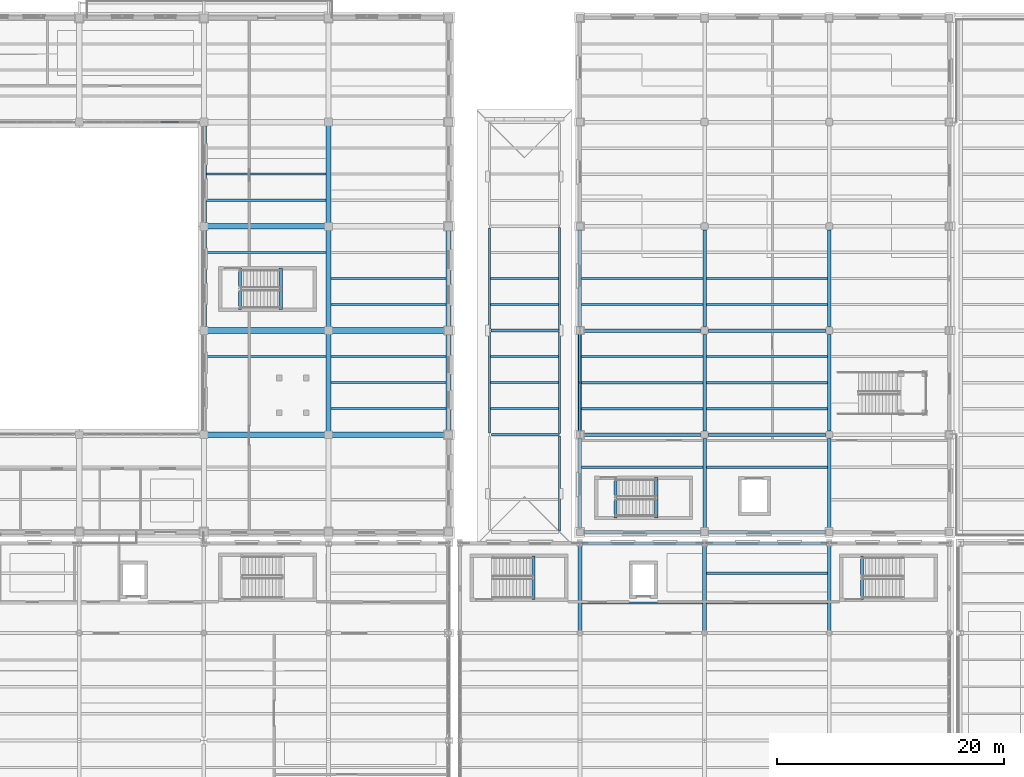
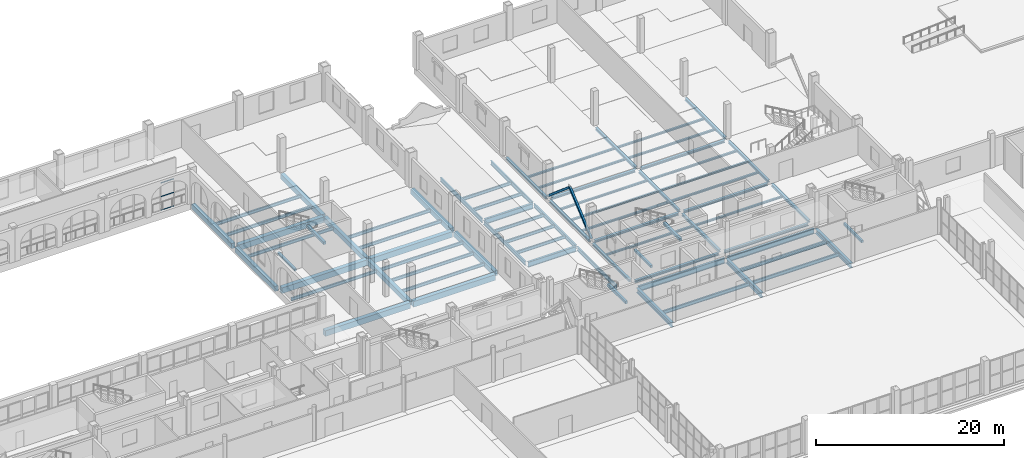
# One storey, part 57 of 156: 74 beams, 5 members, 1 element without a shape of its own.
"""IFC4 building model written with IfcOpenShell, lengths in metres."""

from ifc_helpers import new_model, si_unit, direction, frame, origin, origin_2d, place, context, subcontext, project, spatial, rectangle, hollow_rectangle, i_section, extrude, material, material_profile, profile_set, type_object, element, aggregate, save


model = new_model("IFC4")

# Units and contexts
model_context = context("Model", 3, precision=1e-05, world=origin(), true_north=direction((0.0, 1.0)))
body_context = subcontext(model_context, "Body", "Model", "MODEL_VIEW")
ifc_project = project(units=[si_unit("LENGTHUNIT", "METRE"), si_unit("AREAUNIT", "SQUARE_METRE"), si_unit("VOLUMEUNIT", "CUBIC_METRE"), si_unit("PLANEANGLEUNIT", "RADIAN"), si_unit("MASSUNIT", "GRAM", prefix="KILO")], contexts=[model_context])

# Site, building, storey
site_placement = place(None, origin())
site = spatial("IfcSite", under=ifc_project, at=site_placement, CompositionType="ELEMENT")
building_placement = place(site_placement, origin())
building = spatial("IfcBuilding", under=site, at=building_placement, Name="Caurita Quay Ferry Terminal", CompositionType="ELEMENT")
storey_placement = place(building_placement, frame((0.0, 0.0, 5.39990234375)))
storey = spatial("IfcBuildingStorey", under=building, at=storey_placement, Name="L01", CompositionType="ELEMENT", Elevation=5.39990234375)

# Beams
ifc_material_1 = material(Name="Structural steel ASTM A992 Gr. 50", Category="steel")
ifc_material_profile_1 = material_profile(ifc_material_1, i_section(OverallWidth=0.3251953125, OverallDepth=0.612060546875, WebThickness=0.0126953125, FlangeThickness=0.01904296875, FilletRadius=0.01513671875, at=origin_2d()), Name="W24X104")
ifc_profile_set_1 = profile_set([ifc_material_profile_1], Name="Structural steel ASTM A992 Gr. 50")
beam_type_1 = type_object("IfcBeamType", Name="BM-GR-W24A", PredefinedType="BEAM", material=ifc_profile_set_1)
for number, where, z_axis, x_axis, name in (
    (1, (99.199951171875, 62.916015625, -0.60595703125), (0.0, 1.0, 0.0), (-1.0, 0.0, 0.0), "L01 Beam BM-V2-L01-Y-992-629"),
    (2, (110.199951171875, 62.916015625, -0.60595703125), (0.0, 1.0, 0.0), (-1.0, 0.0, 0.0), "L01 Beam BM-V2-L01-Y-1102-629"),
    (3, (121.199951171875, 62.916015625, -0.60595703125), (0.0, 1.0, 0.0), (-1.0, 0.0, 0.0), "L01 Beam BM-V2-L01-Y-1212-629"),
):
    element("IfcBeam", number, at=place(storey_placement, frame(where, z_axis=z_axis, x_axis=x_axis)), inside=storey, type_object=beam_type_1, Name=name, PredefinedType="BEAM", context=body_context, shape_type="SweptSolid", body=[
        extrude(i_section(OverallWidth=0.3251953125, OverallDepth=0.612060546875, WebThickness=0.0126953125, FlangeThickness=0.01904296875, FilletRadius=0.01513671875, at=origin_2d()), origin(), (0.0, 0.0, 1.0), 7.5166015625),
    ])
ifc_material_profile_2 = material_profile(ifc_material_1, i_section(OverallWidth=0.256591796875, OverallDepth=0.693359375, WebThickness=0.014404296875, FlangeThickness=0.023681640625, FilletRadius=0.017822265625, at=origin_2d()), Name="W27X114")
ifc_profile_set_2 = profile_set([ifc_material_profile_2], Name="Structural steel ASTM A992 Gr. 50")
beam_type_2 = type_object("IfcBeamType", Name="BM-GR-W27A", PredefinedType="BEAM", material=ifc_profile_set_2)
for number, where, z_axis, x_axis, name in (
    (4, (99.369384765625, 70.60009765625, -0.646484375), (1.0, 0.0, 0.0), (0.0, 1.0, 0.0), "L01 Beam BM-V2-L01-X-994-706"),
    (5, (110.369384765625, 70.60009765625, -0.646484375), (1.0, 0.0, 0.0), (0.0, 1.0, 0.0), "L01 Beam BM-V2-L01-X-1104-706"),
):
    element("IfcBeam", number, at=place(storey_placement, frame(where, z_axis=z_axis, x_axis=x_axis)), inside=storey, type_object=beam_type_2, Name=name, PredefinedType="BEAM", context=body_context, shape_type="SweptSolid", body=[
        extrude(i_section(OverallWidth=0.256591796875, OverallDepth=0.693359375, WebThickness=0.014404296875, FlangeThickness=0.023681640625, FilletRadius=0.017822265625, at=origin_2d()), origin(), (0.0, 0.0, 1.0), 10.6611328125),
    ])
ifc_material_profile_3 = material_profile(ifc_material_1, i_section(OverallWidth=0.25390625, OverallDepth=0.68310546875, WebThickness=0.012451171875, FlangeThickness=0.018798828125, at=origin_2d()), Name="W27X94")
ifc_profile_set_3 = profile_set([ifc_material_profile_3], Name="Structural steel ASTM A992 Gr. 50")
beam_type_3 = type_object("IfcBeamType", Name="BM-GR-W27B", PredefinedType="BEAM", material=ifc_profile_set_3)
beam_1_placement = place(storey_placement, frame((91.372802734375, 80.199951171875, -0.491455078125), z_axis=(1.0, 0.0, 0.0), x_axis=(0.0, 1.0, 0.0)))
element("IfcBeam", 6, at=beam_1_placement, inside=storey, type_object=beam_type_3, Name="L01 Beam BM-V6-L01-X-914-802", PredefinedType="BEAM", context=body_context, shape_type="SweptSolid", body=[
    extrude(i_section(OverallWidth=0.25390625, OverallDepth=0.68310546875, WebThickness=0.012451171875, FlangeThickness=0.018798828125, at=origin_2d()), origin(), (0.0, 0.0, 1.0), 5.919189453125),
])
beam_2_placement = place(storey_placement, frame((91.337646484375, 89.39990234375, -0.491455078125), z_axis=(1.0, 0.0, 0.0), x_axis=(0.0, 1.0, 0.0)))
element("IfcBeam", 7, at=beam_2_placement, inside=storey, type_object=beam_type_3, Name="L01 Beam BM-V6-L01-X-913-894", PredefinedType="BEAM", context=body_context, shape_type="SweptSolid", body=[
    extrude(i_section(OverallWidth=0.25390625, OverallDepth=0.68310546875, WebThickness=0.012451171875, FlangeThickness=0.018798828125, at=origin_2d()), origin(), (0.0, 0.0, 1.0), 5.954345703125),
])
ifc_material_profile_4 = material_profile(ifc_material_1, i_section(OverallWidth=0.2021484375, OverallDepth=0.246337890625, WebThickness=0.00732421875, FlangeThickness=0.010986328125, FilletRadius=0.01025390625, at=origin_2d()), Name="W10X33")
ifc_profile_set_4 = profile_set([ifc_material_profile_4], Name="Structural steel ASTM A992 Gr. 50")
beam_type_4 = type_object("IfcBeamType", Name="BM-JS-W10", PredefinedType="JOIST", material=ifc_profile_set_4)
for number, where, z_axis, x_axis, name in (
    (8, (99.352294921875, 77.333251953125, -0.30322265625), (1.0, 0.0, 0.0), (0.0, 1.0, 0.0), "L01 Beam JS-V4W-L01-001"),
    (9, (99.352294921875, 82.5, -0.30322265625), (1.0, 0.0, 0.0), (0.0, 1.0, 0.0), "L01 Beam JS-V4W-L01-002"),
    (10, (99.352294921875, 84.800048828125, -0.30322265625), (1.0, 0.0, 0.0), (0.0, 1.0, 0.0), "L01 Beam JS-V4W-L01-003"),
    (11, (99.352294921875, 87.10009765625, -0.30322265625), (1.0, 0.0, 0.0), (0.0, 1.0, 0.0), "L01 Beam JS-V4W-L01-004"),
    (12, (99.352294921875, 91.699951171875, -0.30322265625), (1.0, 0.0, 0.0), (0.0, 1.0, 0.0), "L01 Beam JS-V4W-L01-005"),
    (13, (99.352294921875, 94.0, -0.30322265625), (1.0, 0.0, 0.0), (0.0, 1.0, 0.0), "L01 Beam JS-V4W-L01-006"),
    (14, (110.352294921875, 77.333251953125, -0.30322265625), (1.0, 0.0, 0.0), (0.0, 1.0, 0.0), "L01 Beam JS-V4W-L01-014"),
    (15, (110.352294921875, 82.5, -0.30322265625), (1.0, 0.0, 0.0), (0.0, 1.0, 0.0), "L01 Beam JS-V4W-L01-015"),
    (16, (110.352294921875, 84.800048828125, -0.30322265625), (1.0, 0.0, 0.0), (0.0, 1.0, 0.0), "L01 Beam JS-V4W-L01-016"),
    (17, (110.352294921875, 87.10009765625, -0.30322265625), (1.0, 0.0, 0.0), (0.0, 1.0, 0.0), "L01 Beam JS-V4W-L01-017"),
    (18, (110.352294921875, 91.699951171875, -0.30322265625), (1.0, 0.0, 0.0), (0.0, 1.0, 0.0), "L01 Beam JS-V4W-L01-018"),
    (19, (110.352294921875, 94.0, -0.30322265625), (1.0, 0.0, 0.0), (0.0, 1.0, 0.0), "L01 Beam JS-V4W-L01-019"),
):
    element("IfcBeam", number, at=place(storey_placement, frame(where, z_axis=z_axis, x_axis=x_axis)), inside=storey, type_object=beam_type_4, Name=name, PredefinedType="JOIST", context=body_context, shape_type="SweptSolid", body=[
        extrude(i_section(OverallWidth=0.2021484375, OverallDepth=0.246337890625, WebThickness=0.00732421875, FlangeThickness=0.010986328125, FilletRadius=0.01025390625, at=origin_2d()), origin(), (0.0, 0.0, 1.0), 10.6953125),
    ])
ifc_material_profile_5 = material_profile(ifc_material_1, i_section(OverallWidth=0.1787109375, OverallDepth=0.408935546875, WebThickness=0.0087890625, FlangeThickness=0.014404296875, FilletRadius=0.011474609375, at=origin_2d()), Name="W16X45")
ifc_profile_set_5 = profile_set([ifc_material_profile_5], Name="Structural steel ASTM A992 Gr. 50")
beam_type_5 = type_object("IfcBeamType", Name="BM-JS-W16A", PredefinedType="JOIST", material=ifc_profile_set_5)
for number, where, z_axis, x_axis, name in (
    (20, (66.22509765625, 87.10009765625, -0.42431640625), (1.0, 0.0, 0.0), (0.0, 1.0, 0.0), "L01 Beam JS-V5-L01-044"),
    (21, (66.22509765625, 96.300048828125, -0.42431640625), (1.0, 0.0, 0.0), (0.0, 1.0, 0.0), "L01 Beam JS-V5-L01-045"),
    (22, (66.22509765625, 100.89990234375, -0.42431640625), (1.0, 0.0, 0.0), (0.0, 1.0, 0.0), "L01 Beam JS-V5-L01-046"),
    (23, (66.22509765625, 103.199951171875, -0.42431640625), (1.0, 0.0, 0.0), (0.0, 1.0, 0.0), "L01 Beam JS-V5-L01-047"),
):
    element("IfcBeam", number, at=place(storey_placement, frame(where, z_axis=z_axis, x_axis=x_axis)), inside=storey, type_object=beam_type_5, Name=name, PredefinedType="JOIST", context=body_context, shape_type="SweptSolid", body=[
        extrude(i_section(OverallWidth=0.1787109375, OverallDepth=0.408935546875, WebThickness=0.0087890625, FlangeThickness=0.014404296875, FilletRadius=0.011474609375, at=origin_2d()), origin(), (0.0, 0.0, 1.0), 10.5498046875),
    ])
for number, where, z_axis, x_axis, name in (
    (24, (77.22509765625, 82.5, -0.42431640625), (1.0, 0.0, 0.0), (0.0, 1.0, 0.0), "L01 Beam JS-V5-L01-054"),
    (25, (77.22509765625, 84.800048828125, -0.42431640625), (1.0, 0.0, 0.0), (0.0, 1.0, 0.0), "L01 Beam JS-V5-L01-055"),
    (26, (77.22509765625, 87.10009765625, -0.42431640625), (1.0, 0.0, 0.0), (0.0, 1.0, 0.0), "L01 Beam JS-V5-L01-056"),
    (27, (77.22509765625, 91.699951171875, -0.42431640625), (1.0, 0.0, 0.0), (0.0, 1.0, 0.0), "L01 Beam JS-V5-L01-057"),
    (28, (77.22509765625, 94.0, -0.42431640625), (1.0, 0.0, 0.0), (0.0, 1.0, 0.0), "L01 Beam JS-V5-L01-058"),
):
    element("IfcBeam", number, at=place(storey_placement, frame(where, z_axis=z_axis, x_axis=x_axis)), inside=storey, type_object=beam_type_5, Name=name, PredefinedType="JOIST", context=body_context, shape_type="SweptSolid", body=[
        extrude(i_section(OverallWidth=0.1787109375, OverallDepth=0.408935546875, WebThickness=0.0087890625, FlangeThickness=0.014404296875, FilletRadius=0.011474609375, at=origin_2d()), origin(), (0.0, 0.0, 1.0), 10.14990234375),
    ])
ifc_material_profile_6 = material_profile(ifc_material_1, i_section(OverallWidth=0.177734375, OverallDepth=0.40380859375, WebThickness=0.007568359375, FlangeThickness=0.010986328125, FilletRadius=0.011474609375, at=origin_2d()), Name="W16X36")
ifc_profile_set_6 = profile_set([ifc_material_profile_6], Name="Structural steel ASTM A992 Gr. 50")
beam_type_6 = type_object("IfcBeamType", Name="BM-JS-W16B", PredefinedType="JOIST", material=ifc_profile_set_6)
for number, where, z_axis, x_axis, name in (
    (29, (91.283203125, 82.5, -0.351806640625), (1.0, 0.0, 0.0), (0.0, 1.0, 0.0), "L01 Beam JS-V6-L01-003"),
    (30, (91.283203125, 84.800048828125, -0.351806640625), (1.0, 0.0, 0.0), (0.0, 1.0, 0.0), "L01 Beam JS-V6-L01-004"),
    (31, (91.283203125, 87.10009765625, -0.351806640625), (1.0, 0.0, 0.0), (0.0, 1.0, 0.0), "L01 Beam JS-V6-L01-005"),
    (32, (91.283203125, 91.699951171875, -0.351806640625), (1.0, 0.0, 0.0), (0.0, 1.0, 0.0), "L01 Beam JS-V6-L01-006"),
    (33, (91.283203125, 94.0, -0.351806640625), (1.0, 0.0, 0.0), (0.0, 1.0, 0.0), "L01 Beam JS-V6-L01-007"),
):
    element("IfcBeam", number, at=place(storey_placement, frame(where, z_axis=z_axis, x_axis=x_axis)), inside=storey, type_object=beam_type_6, Name=name, PredefinedType="JOIST", context=body_context, shape_type="SweptSolid", body=[
        extrude(i_section(OverallWidth=0.177734375, OverallDepth=0.40380859375, WebThickness=0.007568359375, FlangeThickness=0.010986328125, FilletRadius=0.011474609375, at=origin_2d()), origin(), (0.0, 0.0, 1.0), 6.033447265625),
    ])
ifc_material_profile_7 = material_profile(ifc_material_1, i_section(OverallWidth=0.1904296875, OverallDepth=0.457275390625, WebThickness=0.009033203125, FlangeThickness=0.014404296875, FilletRadius=0.0126953125, at=origin_2d()), Name="W18X50")
ifc_profile_set_7 = profile_set([ifc_material_profile_7], Name="Structural steel ASTM A992 Gr. 50")
beam_type_7 = type_object("IfcBeamType", Name="BM-JS-W18B", PredefinedType="JOIST", material=ifc_profile_set_7)
for number, where, z_axis, x_axis, name in (
    (34, (99.362548828125, 65.333251953125, -0.528564453125), (1.0, 0.0, 0.0), (0.0, 1.0, 0.0), "L01 Beam JS-V2-L01-019"),
    (35, (110.362548828125, 65.333251953125, -0.528564453125), (1.0, 0.0, 0.0), (0.0, 1.0, 0.0), "L01 Beam JS-V2-L01-029"),
    (36, (110.362548828125, 67.966796875, -0.528564453125), (1.0, 0.0, 0.0), (0.0, 1.0, 0.0), "L01 Beam JS-V2-L01-030"),
):
    element("IfcBeam", number, at=place(storey_placement, frame(where, z_axis=z_axis, x_axis=x_axis)), inside=storey, type_object=beam_type_7, Name=name, PredefinedType="JOIST", context=body_context, shape_type="SweptSolid", body=[
        extrude(i_section(OverallWidth=0.1904296875, OverallDepth=0.457275390625, WebThickness=0.009033203125, FlangeThickness=0.014404296875, FilletRadius=0.0126953125, at=origin_2d()), origin(), (0.0, 0.0, 1.0), 10.675048828125),
    ])
ifc_material_2 = material(Name="Reinforced concrete C35/45", Category="concrete")
ifc_material_profile_8 = material_profile(ifc_material_2, rectangle(XDim=0.449951171875, YDim=0.64990234375, at=origin_2d()), Name="RC-BM-450X650")
ifc_profile_set_8 = profile_set([ifc_material_profile_8], Name="Reinforced concrete C35/45")
beam_type_8 = type_object("IfcBeamType", Name="BM-RC-4565", PredefinedType="BEAM", material=ifc_profile_set_8)
for number, where, z_axis, x_axis, name in (
    (37, (66.0, 89.739990234375, -0.544921875), (0.0, 1.0, 0.0), (-1.0, 0.0, 0.0), "L01 Beam BM-V5-L01-Y-660-897"),
    (38, (66.0, 98.93994140625, -0.544921875), (0.0, 1.0, 0.0), (-1.0, 0.0, 0.0), "L01 Beam BM-V5-L01-Y-660-989"),
):
    element("IfcBeam", number, at=place(storey_placement, frame(where, z_axis=z_axis, x_axis=x_axis)), inside=storey, type_object=beam_type_8, Name=name, PredefinedType="BEAM", context=body_context, shape_type="SweptSolid", body=[
        extrude(rectangle(XDim=0.449951171875, YDim=0.64990234375, at=origin_2d()), origin(), (0.0, 0.0, 1.0), 8.52001953125),
    ])
for number, where, z_axis, x_axis, name in (
    (39, (77.0, 80.384521484375, -0.544921875), (0.0, 1.0, 0.0), (-1.0, 0.0, 0.0), "L01 Beam BM-V5-L01-Y-770-804"),
    (40, (77.0, 89.58447265625, -0.544921875), (0.0, 1.0, 0.0), (-1.0, 0.0, 0.0), "L01 Beam BM-V5-L01-Y-770-896"),
    (41, (77.0, 98.784423828125, -0.544921875), (0.0, 1.0, 0.0), (-1.0, 0.0, 0.0), "L01 Beam BM-V5-L01-Y-770-988"),
):
    element("IfcBeam", number, at=place(storey_placement, frame(where, z_axis=z_axis, x_axis=x_axis)), inside=storey, type_object=beam_type_8, Name=name, PredefinedType="BEAM", context=body_context, shape_type="SweptSolid", body=[
        extrude(rectangle(XDim=0.449951171875, YDim=0.64990234375, at=origin_2d()), origin(), (0.0, 0.0, 1.0), 8.8310546875),
    ])
for number, where, z_axis, x_axis, name in (
    (42, (87.60009765625, 80.5400390625, -0.544921875), (0.0, 1.0, 0.0), (-1.0, 0.0, 0.0), "L01 Beam BM-V5-L01-Y-876-805"),
    (43, (87.60009765625, 89.739990234375, -0.544921875), (0.0, 1.0, 0.0), (-1.0, 0.0, 0.0), "L01 Beam BM-V5-L01-Y-876-897"),
):
    element("IfcBeam", number, at=place(storey_placement, frame(where, z_axis=z_axis, x_axis=x_axis)), inside=storey, type_object=beam_type_8, Name=name, PredefinedType="BEAM", context=body_context, shape_type="SweptSolid", body=[
        extrude(rectangle(XDim=0.449951171875, YDim=0.64990234375, at=origin_2d()), origin(), (0.0, 0.0, 1.0), 8.52001953125),
    ])
ifc_material_profile_9 = material_profile(ifc_material_2, rectangle(XDim=0.5, YDim=0.75, at=origin_2d()), Name="RC-BM-500X750")
ifc_profile_set_9 = profile_set([ifc_material_profile_9], Name="Reinforced concrete C35/45")
beam_type_9 = type_object("IfcBeamType", Name="BM-RC-5075", PredefinedType="BEAM", material=ifc_profile_set_9)
beam_3_placement = place(storey_placement, frame((66.340087890625, 80.199951171875, -0.594970703125), z_axis=(1.0, 0.0, 0.0), x_axis=(0.0, 1.0, 0.0)))
element("IfcBeam", 44, at=beam_3_placement, inside=storey, type_object=beam_type_9, Name="L01 Beam BM-V5-L01-X-663-802", PredefinedType="BEAM", context=body_context, shape_type="SweptSolid", body=[
    extrude(rectangle(XDim=0.5, YDim=0.75, at=origin_2d()), origin(), (0.0, 0.0, 1.0), 10.485107421875),
])
beam_4_placement = place(storey_placement, frame((77.1748046875, 80.199951171875, -0.594970703125), z_axis=(1.0, 0.0, 0.0), x_axis=(0.0, 1.0, 0.0)))
element("IfcBeam", 45, at=beam_4_placement, inside=storey, type_object=beam_type_9, Name="L01 Beam BM-V5-L01-X-772-802", PredefinedType="BEAM", context=body_context, shape_type="SweptSolid", body=[
    extrude(rectangle(XDim=0.5, YDim=0.75, at=origin_2d()), origin(), (0.0, 0.0, 1.0), 10.085205078125),
])
beam_5_placement = place(storey_placement, frame((66.340087890625, 89.39990234375, -0.594970703125), z_axis=(1.0, 0.0, 0.0), x_axis=(0.0, 1.0, 0.0)))
element("IfcBeam", 46, at=beam_5_placement, inside=storey, type_object=beam_type_9, Name="L01 Beam BM-V5-L01-X-663-894", PredefinedType="BEAM", context=body_context, shape_type="SweptSolid", body=[
    extrude(rectangle(XDim=0.5, YDim=0.75, at=origin_2d()), origin(), (0.0, 0.0, 1.0), 10.485107421875),
])
beam_6_placement = place(storey_placement, frame((77.1748046875, 89.39990234375, -0.594970703125), z_axis=(1.0, 0.0, 0.0), x_axis=(0.0, 1.0, 0.0)))
element("IfcBeam", 47, at=beam_6_placement, inside=storey, type_object=beam_type_9, Name="L01 Beam BM-V5-L01-X-772-894", PredefinedType="BEAM", context=body_context, shape_type="SweptSolid", body=[
    extrude(rectangle(XDim=0.5, YDim=0.75, at=origin_2d()), origin(), (0.0, 0.0, 1.0), 10.085205078125),
])
beam_7_placement = place(storey_placement, frame((66.340087890625, 98.60009765625, -0.594970703125), z_axis=(1.0, 0.0, 0.0), x_axis=(0.0, 1.0, 0.0)))
element("IfcBeam", 48, at=beam_7_placement, inside=storey, type_object=beam_type_9, Name="L01 Beam BM-V5-L01-X-663-986", PredefinedType="BEAM", context=body_context, shape_type="SweptSolid", body=[
    extrude(rectangle(XDim=0.5, YDim=0.75, at=origin_2d()), origin(), (0.0, 0.0, 1.0), 10.485107421875),
])
ifc_material_profile_10 = material_profile(ifc_material_1, i_section(OverallWidth=0.16650390625, OverallDepth=0.535888671875, WebThickness=0.01025390625, FlangeThickness=0.0166015625, FilletRadius=0.013916015625, at=origin_2d()), Name="W21X57")
ifc_profile_set_10 = profile_set([ifc_material_profile_10], Name="Structural steel ASTM A992 Gr. 50")
beam_type_10 = type_object("IfcBeamType", Name="BM-SP-W21B", PredefinedType="SPANDREL", material=ifc_profile_set_10)
beam_8_placement = place(storey_placement, frame((91.199951171875, 80.372802734375, -0.417724609375), z_axis=(0.0, 1.0, 0.0), x_axis=(-1.0, 0.0, 0.0)))
element("IfcBeam", 49, at=beam_8_placement, inside=storey, type_object=beam_type_10, Name="L01 Beam BM-V6-L01-Y-912-804", PredefinedType="SPANDREL", context=body_context, shape_type="SweptSolid", body=[
    extrude(i_section(OverallWidth=0.16650390625, OverallDepth=0.535888671875, WebThickness=0.01025390625, FlangeThickness=0.0166015625, FilletRadius=0.013916015625, at=origin_2d()), origin(), (0.0, 0.0, 1.0), 8.889404296875),
])
beam_9_placement = place(storey_placement, frame((91.199951171875, 89.53759765625, -0.417724609375), z_axis=(0.0, 1.0, 0.0), x_axis=(-1.0, 0.0, 0.0)))
element("IfcBeam", 50, at=beam_9_placement, inside=storey, type_object=beam_type_10, Name="L01 Beam BM-V6-L01-Y-912-895", PredefinedType="SPANDREL", context=body_context, shape_type="SweptSolid", body=[
    extrude(i_section(OverallWidth=0.16650390625, OverallDepth=0.535888671875, WebThickness=0.01025390625, FlangeThickness=0.0166015625, FilletRadius=0.013916015625, at=origin_2d()), origin(), (0.0, 0.0, 1.0), 8.9248046875),
])
beam_10_placement = place(storey_placement, frame((97.39990234375, 71.7080078125, -0.417724609375), z_axis=(0.0, 1.0, 0.0), x_axis=(-1.0, 0.0, 0.0)))
element("IfcBeam", 51, at=beam_10_placement, inside=storey, type_object=beam_type_10, Name="L01 Beam BM-V6-L01-Y-974-717", PredefinedType="SPANDREL", context=body_context, shape_type="SweptSolid", body=[
    extrude(i_section(OverallWidth=0.16650390625, OverallDepth=0.535888671875, WebThickness=0.01025390625, FlangeThickness=0.0166015625, FilletRadius=0.013916015625, at=origin_2d()), origin(), (0.0, 0.0, 1.0), 8.384033203125),
])
for number, where, z_axis, x_axis, name in (
    (52, (97.39990234375, 80.30810546875, -0.417724609375), (0.0, 1.0, 0.0), (-1.0, 0.0, 0.0), "L01 Beam BM-V6-L01-Y-974-803"),
    (53, (97.39990234375, 89.508056640625, -0.417724609375), (0.0, 1.0, 0.0), (-1.0, 0.0, 0.0), "L01 Beam BM-V6-L01-Y-974-895"),
):
    element("IfcBeam", number, at=place(storey_placement, frame(where, z_axis=z_axis, x_axis=x_axis)), inside=storey, type_object=beam_type_10, Name=name, PredefinedType="SPANDREL", context=body_context, shape_type="SweptSolid", body=[
        extrude(i_section(OverallWidth=0.16650390625, OverallDepth=0.535888671875, WebThickness=0.01025390625, FlangeThickness=0.0166015625, FilletRadius=0.013916015625, at=origin_2d()), origin(), (0.0, 0.0, 1.0), 8.98388671875),
    ])
ifc_material_profile_11 = material_profile(ifc_material_1, i_section(OverallWidth=0.3046875, OverallDepth=0.307373046875, WebThickness=0.010009765625, FlangeThickness=0.015380859375, FilletRadius=0.01513671875, at=origin_2d()), Name="W12X65")
ifc_profile_set_11 = profile_set([ifc_material_profile_11], Name="Structural steel ASTM A992 Gr. 50")
beam_type_11 = type_object("IfcBeamType", Name="BM-VD-W12A", PredefinedType="BEAM", material=ifc_profile_set_11)
for number, where, z_axis, x_axis, name in (
    (54, (99.5400390625, 71.60009765625, -0.33349609375), (1.0, 0.0, 0.0), (0.0, 1.0, 0.0), "L01 Beam BM-V4W-L01-X-995-716"),
    (55, (110.5400390625, 71.60009765625, -0.33349609375), (1.0, 0.0, 0.0), (0.0, 1.0, 0.0), "L01 Beam BM-V4W-L01-X-1105-716"),
    (56, (99.5400390625, 80.199951171875, -0.33349609375), (1.0, 0.0, 0.0), (0.0, 1.0, 0.0), "L01 Beam BM-V4W-L01-X-995-802"),
    (57, (110.5400390625, 80.199951171875, -0.33349609375), (1.0, 0.0, 0.0), (0.0, 1.0, 0.0), "L01 Beam BM-V4W-L01-X-1105-802"),
    (58, (99.5400390625, 89.39990234375, -0.33349609375), (1.0, 0.0, 0.0), (0.0, 1.0, 0.0), "L01 Beam BM-V4W-L01-X-995-894"),
    (59, (110.5400390625, 89.39990234375, -0.33349609375), (1.0, 0.0, 0.0), (0.0, 1.0, 0.0), "L01 Beam BM-V4W-L01-X-1105-894"),
):
    element("IfcBeam", number, at=place(storey_placement, frame(where, z_axis=z_axis, x_axis=x_axis)), inside=storey, type_object=beam_type_11, Name=name, PredefinedType="BEAM", context=body_context, shape_type="SweptSolid", body=[
        extrude(i_section(OverallWidth=0.3046875, OverallDepth=0.307373046875, WebThickness=0.010009765625, FlangeThickness=0.015380859375, FilletRadius=0.01513671875, at=origin_2d()), origin(), (0.0, 0.0, 1.0), 10.320068359375),
    ])
beam_11_placement = place(storey_placement, frame((99.199951171875, 71.93994140625, -0.33349609375), z_axis=(0.0, 1.0, 0.0), x_axis=(-1.0, 0.0, 0.0)))
element("IfcBeam", 60, at=beam_11_placement, inside=storey, type_object=beam_type_11, Name="L01 Beam BM-V4W-L01-Y-992-719", PredefinedType="BEAM", context=body_context, shape_type="SweptSolid", body=[
    extrude(i_section(OverallWidth=0.3046875, OverallDepth=0.307373046875, WebThickness=0.010009765625, FlangeThickness=0.015380859375, FilletRadius=0.01513671875, at=origin_2d()), origin(), (0.0, 0.0, 1.0), 7.920166015625),
])
for number, where, z_axis, x_axis, name in (
    (61, (99.199951171875, 80.5400390625, -0.33349609375), (0.0, 1.0, 0.0), (-1.0, 0.0, 0.0), "L01 Beam BM-V4W-L01-Y-992-805"),
    (62, (99.199951171875, 89.739990234375, -0.33349609375), (0.0, 1.0, 0.0), (-1.0, 0.0, 0.0), "L01 Beam BM-V4W-L01-Y-992-897"),
):
    element("IfcBeam", number, at=place(storey_placement, frame(where, z_axis=z_axis, x_axis=x_axis)), inside=storey, type_object=beam_type_11, Name=name, PredefinedType="BEAM", context=body_context, shape_type="SweptSolid", body=[
        extrude(i_section(OverallWidth=0.3046875, OverallDepth=0.307373046875, WebThickness=0.010009765625, FlangeThickness=0.015380859375, FilletRadius=0.01513671875, at=origin_2d()), origin(), (0.0, 0.0, 1.0), 8.52001953125),
    ])
beam_12_placement = place(storey_placement, frame((110.199951171875, 71.93994140625, -0.33349609375), z_axis=(0.0, 1.0, 0.0), x_axis=(-1.0, 0.0, 0.0)))
element("IfcBeam", 63, at=beam_12_placement, inside=storey, type_object=beam_type_11, Name="L01 Beam BM-V4W-L01-Y-1102-719", PredefinedType="BEAM", context=body_context, shape_type="SweptSolid", body=[
    extrude(i_section(OverallWidth=0.3046875, OverallDepth=0.307373046875, WebThickness=0.010009765625, FlangeThickness=0.015380859375, FilletRadius=0.01513671875, at=origin_2d()), origin(), (0.0, 0.0, 1.0), 7.920166015625),
])
for number, where, z_axis, x_axis, name in (
    (64, (110.199951171875, 80.5400390625, -0.33349609375), (0.0, 1.0, 0.0), (-1.0, 0.0, 0.0), "L01 Beam BM-V4W-L01-Y-1102-805"),
    (65, (110.199951171875, 89.739990234375, -0.33349609375), (0.0, 1.0, 0.0), (-1.0, 0.0, 0.0), "L01 Beam BM-V4W-L01-Y-1102-897"),
):
    element("IfcBeam", number, at=place(storey_placement, frame(where, z_axis=z_axis, x_axis=x_axis)), inside=storey, type_object=beam_type_11, Name=name, PredefinedType="BEAM", context=body_context, shape_type="SweptSolid", body=[
        extrude(i_section(OverallWidth=0.3046875, OverallDepth=0.307373046875, WebThickness=0.010009765625, FlangeThickness=0.015380859375, FilletRadius=0.01513671875, at=origin_2d()), origin(), (0.0, 0.0, 1.0), 8.52001953125),
    ])
beam_13_placement = place(storey_placement, frame((121.199951171875, 71.93994140625, -0.33349609375), z_axis=(0.0, 1.0, 0.0), x_axis=(-1.0, 0.0, 0.0)))
element("IfcBeam", 66, at=beam_13_placement, inside=storey, type_object=beam_type_11, Name="L01 Beam BM-V4W-L01-Y-1212-719", PredefinedType="BEAM", context=body_context, shape_type="SweptSolid", body=[
    extrude(i_section(OverallWidth=0.3046875, OverallDepth=0.307373046875, WebThickness=0.010009765625, FlangeThickness=0.015380859375, FilletRadius=0.01513671875, at=origin_2d()), origin(), (0.0, 0.0, 1.0), 7.920166015625),
])
for number, where, z_axis, x_axis, name in (
    (67, (121.199951171875, 80.5400390625, -0.33349609375), (0.0, 1.0, 0.0), (-1.0, 0.0, 0.0), "L01 Beam BM-V4W-L01-Y-1212-805"),
    (68, (121.199951171875, 89.739990234375, -0.33349609375), (0.0, 1.0, 0.0), (-1.0, 0.0, 0.0), "L01 Beam BM-V4W-L01-Y-1212-897"),
):
    element("IfcBeam", number, at=place(storey_placement, frame(where, z_axis=z_axis, x_axis=x_axis)), inside=storey, type_object=beam_type_11, Name=name, PredefinedType="BEAM", context=body_context, shape_type="SweptSolid", body=[
        extrude(i_section(OverallWidth=0.3046875, OverallDepth=0.307373046875, WebThickness=0.010009765625, FlangeThickness=0.015380859375, FilletRadius=0.01513671875, at=origin_2d()), origin(), (0.0, 0.0, 1.0), 8.52001953125),
    ])

# Curtain wall, members
ifc_material_3 = material(Name="Laminated solar-control insulated glass", Category="glass")
curtain_wall_type = type_object("IfcCurtainWallType", Name="CW-SYS-23", PredefinedType="NOTDEFINED", material=ifc_material_3)
curtain_wall_placement = place(storey_placement, origin())
curtain_wall = element("IfcCurtainWall", 69, at=curtain_wall_placement, inside=storey, type_object=curtain_wall_type, Name="L01 Courtyard Cloister Storefront 163", PredefinedType="NOTDEFINED")
ifc_material_4 = material(Name="Anodized aluminium 6063-T6", Category="aluminium")
ifc_material_profile_12 = material_profile(ifc_material_4, hollow_rectangle(XDim=0.06005859375, YDim=0.114990234375, WallThickness=0.00341796875, at=origin_2d()), Name="ALU-TRN-60X115")
ifc_profile_set_12 = profile_set([ifc_material_profile_12], Name="Anodized aluminium 6063-T6")
member_type_1 = type_object("IfcMemberType", Name="CW-TRN-115", PredefinedType="USERDEFINED", material=ifc_profile_set_12)
member_1_placement = place(storey_placement, frame((62.177978515625, 107.800048828125, 0.030029296875), z_axis=(1.0, 0.0, 0.0), x_axis=(0.0, 1.0, 0.0)))
member_1 = element("IfcMember", 70, at=member_1_placement, type_object=member_type_1, Name="CW-CRT-163 Transom 13", ObjectType="TRANSOM", PredefinedType="USERDEFINED", context=body_context, shape_type="SweptSolid", body=[
    extrude(hollow_rectangle(XDim=0.06005859375, YDim=0.114990234375, WallThickness=0.00341796875, at=origin_2d()), origin(), (0.0, 0.0, 1.0), 1.593994140625),
])
member_2_placement = place(storey_placement, frame((62.177978515625, 107.800048828125, 1.800048828125), z_axis=(1.0, 0.0, 0.0), x_axis=(0.0, 1.0, 0.0)))
member_2 = element("IfcMember", 71, at=member_2_placement, type_object=member_type_1, Name="CW-CRT-163 Transom 14", ObjectType="TRANSOM", PredefinedType="USERDEFINED", context=body_context, shape_type="SweptSolid", body=[
    extrude(hollow_rectangle(XDim=0.06005859375, YDim=0.114990234375, WallThickness=0.00341796875, at=origin_2d()), origin(), (0.0, 0.0, 1.0), 1.593994140625),
])
member_3_placement = place(storey_placement, frame((62.177978515625, 107.800048828125, 3.570068359375), z_axis=(1.0, 0.0, 0.0), x_axis=(0.0, 1.0, 0.0)))
member_3 = element("IfcMember", 72, at=member_3_placement, type_object=member_type_1, Name="CW-CRT-163 Transom 15", ObjectType="TRANSOM", PredefinedType="USERDEFINED", context=body_context, shape_type="SweptSolid", body=[
    extrude(hollow_rectangle(XDim=0.06005859375, YDim=0.114990234375, WallThickness=0.00341796875, at=origin_2d()), origin(), (0.0, 0.0, 1.0), 1.593994140625),
])
aggregate(curtain_wall, [member_1, member_2, member_3])

# Beams
ifc_material_profile_13 = material_profile(ifc_material_2, rectangle(XDim=0.25, YDim=0.300048828125, at=origin_2d()), Name="RC-LN-250X300")
ifc_profile_set_13 = profile_set([ifc_material_profile_13], Name="Reinforced concrete C35/45")
beam_type_12 = type_object("IfcBeamType", Name="LN-RC-2530", PredefinedType="LINTEL", material=ifc_profile_set_13)
beam_14_placement = place(storey_placement, frame((69.199951171875, 91.25, -0.14990234375), z_axis=(0.0, 1.0, 0.0), x_axis=(-1.0, 0.0, 0.0)))
element("IfcBeam", 73, at=beam_14_placement, inside=storey, type_object=beam_type_12, Name="L01 Stair ST-04 Landing Trimmer Beam", PredefinedType="LINTEL", context=body_context, shape_type="SweptSolid", body=[
    extrude(rectangle(XDim=0.25, YDim=0.300048828125, at=origin_2d()), origin(), (0.0, 0.0, 1.0), 3.659912109375),
])
beam_15_placement = place(storey_placement, frame((124.10009765625, 65.64990234375, -0.14990234375), z_axis=(0.0, 1.0, 0.0), x_axis=(-1.0, 0.0, 0.0)))
element("IfcBeam", 74, at=beam_15_placement, inside=storey, type_object=beam_type_12, Name="L01 Stair ST-09 Landing Trimmer Beam", PredefinedType="LINTEL", context=body_context, shape_type="SweptSolid", body=[
    extrude(rectangle(XDim=0.25, YDim=0.300048828125, at=origin_2d()), origin(), (0.0, 0.0, 1.0), 3.860107421875),
])
beam_16_placement = place(storey_placement, frame((102.35009765625, 72.85009765625, -0.14990234375), z_axis=(0.0, 1.0, 0.0), x_axis=(-1.0, 0.0, 0.0)))
element("IfcBeam", 75, at=beam_16_placement, inside=storey, type_object=beam_type_12, Name="L01 Stair ST-12 Landing Trimmer Beam", PredefinedType="LINTEL", context=body_context, shape_type="SweptSolid", body=[
    extrude(rectangle(XDim=0.25, YDim=0.300048828125, at=origin_2d()), origin(), (0.0, 0.0, 1.0), 3.559814453125),
])
ifc_material_profile_14 = material_profile(ifc_material_2, rectangle(XDim=0.300048828125, YDim=0.35009765625, at=origin_2d()), Name="RC-LN-300X350")
ifc_profile_set_14 = profile_set([ifc_material_profile_14], Name="Reinforced concrete C35/45")
beam_type_13 = type_object("IfcBeamType", Name="LN-RC-3035", PredefinedType="LINTEL", material=ifc_profile_set_14)
beam_17_placement = place(storey_placement, frame((72.800048828125, 91.25, 2.0751953125), z_axis=(0.0, 1.0, 0.0), x_axis=(-1.0, 0.0, 0.0)))
element("IfcBeam", 76, at=beam_17_placement, inside=storey, type_object=beam_type_13, Name="L01 Stair ST-04 Half-Landing Beam 1", PredefinedType="LINTEL", context=body_context, shape_type="SweptSolid", body=[
    extrude(rectangle(XDim=0.300048828125, YDim=0.35009765625, at=origin_2d()), origin(), (0.0, 0.0, 1.0), 3.659912109375),
])
beam_18_placement = place(storey_placement, frame((95.10009765625, 65.64990234375, 2.0751953125), z_axis=(0.0, 1.0, 0.0), x_axis=(-1.0, 0.0, 0.0)))
element("IfcBeam", 77, at=beam_18_placement, inside=storey, type_object=beam_type_13, Name="L01 Stair ST-08 Half-Landing Beam 1", PredefinedType="LINTEL", context=body_context, shape_type="SweptSolid", body=[
    extrude(rectangle(XDim=0.300048828125, YDim=0.35009765625, at=origin_2d()), origin(), (0.0, 0.0, 1.0), 3.860107421875),
])
beam_19_placement = place(storey_placement, frame((105.949951171875, 72.85009765625, 2.0751953125), z_axis=(0.0, 1.0, 0.0), x_axis=(-1.0, 0.0, 0.0)))
element("IfcBeam", 78, at=beam_19_placement, inside=storey, type_object=beam_type_13, Name="L01 Stair ST-12 Half-Landing Beam 1", PredefinedType="LINTEL", context=body_context, shape_type="SweptSolid", body=[
    extrude(rectangle(XDim=0.300048828125, YDim=0.35009765625, at=origin_2d()), origin(), (0.0, 0.0, 1.0), 3.559814453125),
])

# Members
ifc_material_5 = material(Name="Hollow structural steel ASTM A500 Gr. C", Category="steel")
ifc_material_profile_15 = material_profile(ifc_material_5, hollow_rectangle(XDim=0.25390625, YDim=0.25390625, WallThickness=0.01171875, InnerFilletRadius=0.01171875, OuterFilletRadius=0.023681640625, at=origin_2d()), Name="HSS10X10X1/2")
ifc_profile_set_15 = profile_set([ifc_material_profile_15], Name="Hollow structural steel ASTM A500 Gr. C")
member_type_2 = type_object("IfcMemberType", Name="MEM-BRC-10", PredefinedType="BRACE", material=ifc_profile_set_15)
member_4_placement = place(storey_placement, frame((99.199951171875, 80.199951171875, 0.1201171875), z_axis=(0.0, 0.761953286382, 0.647631986063), x_axis=(-1.0, 0.0, 0.0)))
element("IfcMember", 79, at=member_4_placement, inside=storey, type_object=member_type_2, Name="L01 Chevron Seismic Brace 15A", PredefinedType="BRACE", context=body_context, shape_type="SweptSolid", body=[
    extrude(hollow_rectangle(XDim=0.25390625, YDim=0.25390625, WallThickness=0.01171875, InnerFilletRadius=0.01171875, OuterFilletRadius=0.023681640625, at=origin_2d()), origin(), (0.0, 0.0, 1.0), 6.037353515625),
])
member_5_placement = place(storey_placement, frame((99.199951171875, 89.39990234375, 0.1201171875), z_axis=(0.0, -0.761936324345, 0.647651941743), x_axis=(1.0, 0.0, 0.0)))
element("IfcMember", 80, at=member_5_placement, inside=storey, type_object=member_type_2, Name="L01 Chevron Seismic Brace 15B", PredefinedType="BRACE", context=body_context, shape_type="SweptSolid", body=[
    extrude(hollow_rectangle(XDim=0.25390625, YDim=0.25390625, WallThickness=0.01171875, InnerFilletRadius=0.01171875, OuterFilletRadius=0.023681640625, at=origin_2d()), origin(), (0.0, 0.0, 1.0), 6.037109375),
])

save(model, "model.ifc")
